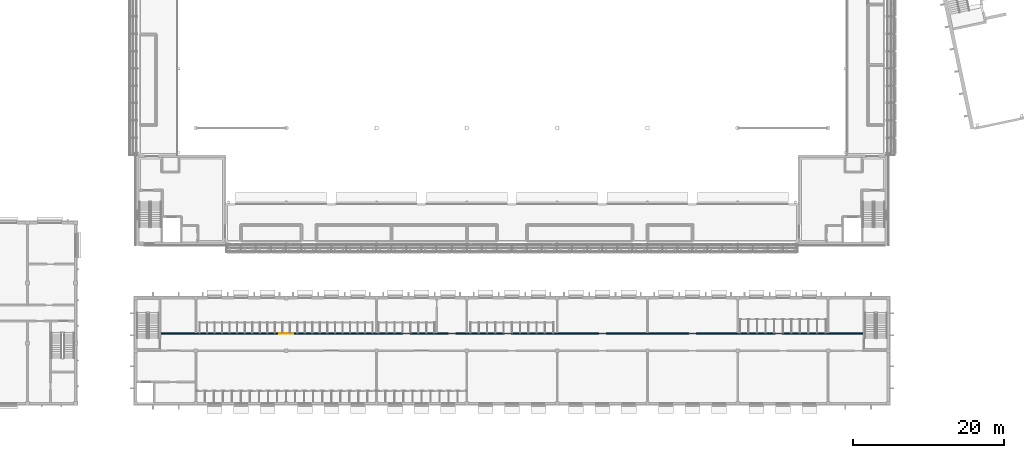
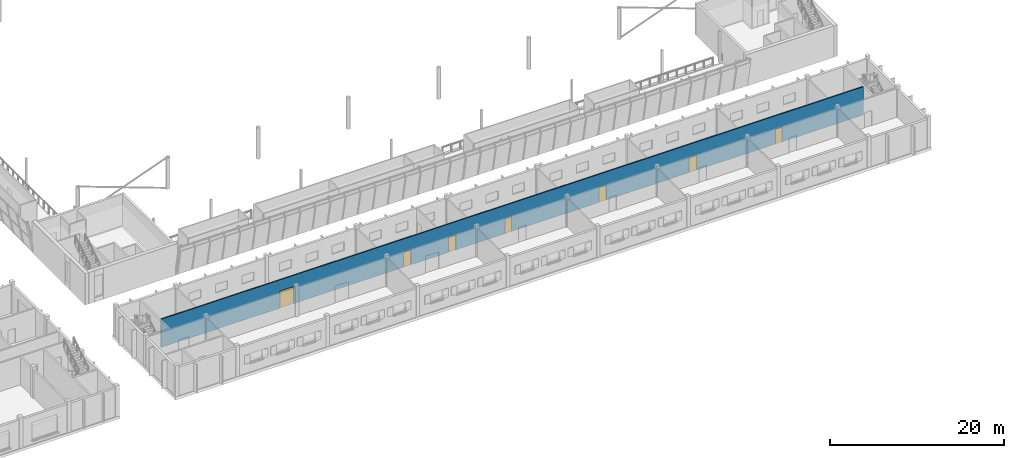
# One storey, part 67 of 115: 7 doors, 1 wall, 7 openings.
"""IFC4 building model written with IfcOpenShell, lengths in metres."""

import ifcopenshell
import ifcopenshell.guid

model = None  # the IFC model being written
_history = None  # IfcOwnerHistory: only IFC2X3 demands one
_inside = {}  # id of a spatial element -> (the spatial element, [elements in it])
_under = {}  # id of a project, library or spatial element -> (it, [spatial elements below it])
_declared = {}  # id of a project -> (the project, [libraries it declares])
_typed = {}  # id of a type object -> (the type object, [elements of that type])
_made_of = {}  # id of a material, layer set ... -> (it, [elements and type objects made of it])


def new_model(schema):
    """Start an empty IFC model of exactly this schema.

    Asked for "IFC4X3", IfcOpenShell would pick the latest addendum, in which some entities
    have other attributes; the version numbers below select the first issue.
    IFC2X3 requires an IfcOwnerHistory on every rooted entity: one is made here for all.
    """
    global model, _history
    if schema == "IFC4X3":
        model = ifcopenshell.file(schema_version=(4, 3, 0, 0))
    else:
        model = ifcopenshell.file(schema=schema)
    _inside.clear()
    _under.clear()
    _declared.clear()
    _typed.clear()
    _made_of.clear()
    _history = None
    if model.schema == "IFC2X3":
        org = make("IfcOrganization", Name="unknown")
        user = make(
            "IfcPersonAndOrganization",
            ThePerson=make("IfcPerson", FamilyName="unknown"),
            TheOrganization=org,
        )
        app = make(
            "IfcApplication",
            ApplicationDeveloper=org,
            Version="unknown",
            ApplicationFullName="unknown",
            ApplicationIdentifier="unknown",
        )
        _history = make(
            "IfcOwnerHistory",
            OwningUser=user,
            OwningApplication=app,
            ChangeAction="ADDED",
            CreationDate=0,
        )
    return model


def make(cls, **values):
    """One entity of the class cls with the attributes given. An attribute that is None is left unset."""
    return model.create_entity(
        cls, **{name: value for name, value in values.items() if value is not None}
    )


def rooted(cls, **values):
    """An entity with a GlobalId (a new one), such as an element, a storey or a relation."""
    return make(cls, GlobalId=ifcopenshell.guid.new(), OwnerHistory=_history, **values)


def si_unit(unit_type, name, prefix=None):
    """IfcSIUnit, for example si_unit("LENGTHUNIT", "METRE", prefix="MILLI")."""
    return make("IfcSIUnit", UnitType=unit_type, Prefix=prefix, Name=name)


def assignment(units):
    """IfcUnitAssignment: the units of a project."""
    return None if units is None else make("IfcUnitAssignment", Units=units)


def point(xyz):
    """IfcCartesianPoint."""
    return None if xyz is None else make("IfcCartesianPoint", Coordinates=xyz)


def direction(xyz):
    """IfcDirection."""
    return None if xyz is None else make("IfcDirection", DirectionRatios=xyz)


def frame(location, z_axis=None, x_axis=None):
    """IfcAxis2Placement3D, a coordinate frame: its origin and axes. An axis left out is left unset."""
    return make(
        "IfcAxis2Placement3D",
        Location=point(location),
        Axis=direction(z_axis),
        RefDirection=direction(x_axis),
    )


def frame_2d(location, x_axis=None):
    """IfcAxis2Placement2D, a coordinate frame in the plane: its origin and x axis."""
    return make(
        "IfcAxis2Placement2D", Location=point(location), RefDirection=direction(x_axis)
    )


def origin():
    """The frame at (0, 0, 0) with its axes left unset."""
    return frame((0.0, 0.0, 0.0))


def place(relative_to, where):
    """IfcLocalPlacement: puts the frame where relative to a parent placement (None: the world)."""
    return make(
        "IfcLocalPlacement", PlacementRelTo=relative_to, RelativePlacement=where
    )


def context(
    kind, dimensions, precision=None, world=None, true_north=None, identifier=None
):
    """IfcGeometricRepresentationContext, for example the 3D "Model" context."""
    return make(
        "IfcGeometricRepresentationContext",
        ContextIdentifier=identifier,
        ContextType=kind,
        CoordinateSpaceDimension=dimensions,
        Precision=precision,
        WorldCoordinateSystem=world,
        TrueNorth=true_north,
    )


def subcontext(parent, identifier, kind, view, scale=None):
    """IfcGeometricRepresentationSubContext, for example "Body" below "Model"."""
    return make(
        "IfcGeometricRepresentationSubContext",
        ContextIdentifier=identifier,
        ContextType=kind,
        ParentContext=parent,
        TargetScale=scale,
        TargetView=view,
    )


def project(units=None, contexts=None):
    """IfcProject with its units and contexts."""
    return rooted(
        "IfcProject",
        Name="project",
        RepresentationContexts=contexts,
        UnitsInContext=assignment(units),
    )


def spatial(cls, under=None, at=None, **own):
    """A site, building, storey or space (cls), placed at a placement, below another one or the project."""
    s = rooted(cls, ObjectPlacement=at, **own)
    if under is not None:
        _under.setdefault(under.id(), (under, []))[1].append(s)
    return s


def profile(cls, at=None, kind="AREA", **sizes):
    """A parametric profile (cls). Its sizes go by their IFC names, for example OverallWidth=200.0."""
    return make(cls, ProfileType=kind, Position=at, **sizes)


def rectangle(**sizes):
    """IfcRectangleProfileDef."""
    return profile("IfcRectangleProfileDef", **sizes)


def extrude(swept, where, along, depth):
    """IfcExtrudedAreaSolid: the profile swept, set in the frame where, extruded along a direction by depth."""
    return make(
        "IfcExtrudedAreaSolid",
        SweptArea=swept,
        Position=where,
        ExtrudedDirection=direction(along),
        Depth=depth,
    )


def shape(context_of_items, identifier, shape_type, items):
    """IfcShapeRepresentation: the items that make up one representation, for example the "Body"."""
    return make(
        "IfcShapeRepresentation",
        ContextOfItems=context_of_items,
        RepresentationIdentifier=identifier,
        RepresentationType=shape_type,
        Items=items,
    )


def material(Name=None, Category=None):
    """IfcMaterial."""
    return make("IfcMaterial", Name=Name, Category=Category)


def layer(
    of_material, thickness, ventilated=None, Name=None, Category=None, Priority=None
):
    """IfcMaterialLayer: one layer of a wall or slab, of a material (None: an air gap)."""
    return make(
        "IfcMaterialLayer",
        Material=of_material,
        LayerThickness=thickness,
        IsVentilated=ventilated,
        Name=Name,
        Category=Category,
        Priority=Priority,
    )


def layer_set(layers, Name=None):
    """IfcMaterialLayerSet."""
    return make("IfcMaterialLayerSet", MaterialLayers=layers, LayerSetName=Name)


def made_of(thing, what):
    """Note that an element or type object is made of a material, layer set ...; save() writes the relation."""
    if what is not None:
        _made_of.setdefault(what.id(), (what, []))[1].append(thing)
    return thing


def type_object(cls, material=None, **own):
    """A type object (cls), such as IfcWallType, which elements share."""
    return made_of(rooted(cls, **own), material)


def element(
    cls,
    number,
    at=None,
    inside=None,
    cuts=None,
    type_object=None,
    material=None,
    context=None,
    identifier="Body",
    shape_type=None,
    held_by="IfcProductDefinitionShape",
    body=None,
    shapes=None,
    **own,
):
    """One element of the class cls, such as IfcWall. Its Tag is "e" and its number.

    at: its placement. inside: the storey or other place that contains it. cuts: it is an
    opening in that element (IfcRelVoidsElement). A single representation is given by context,
    identifier, shape_type and body (its items); several are given by shapes. held_by: the class
    of the entity that holds the representations. save() writes the other relations.
    """
    e = rooted(cls, Tag="e%d" % number, ObjectPlacement=at, **own)
    if body is not None:
        shapes = [shape(context, identifier, shape_type, body)]
    if shapes is not None:
        e.Representation = make(held_by, Representations=shapes)
    if inside is not None:
        _inside.setdefault(inside.id(), (inside, []))[1].append(e)
    if cuts is not None:
        rooted(
            "IfcRelVoidsElement", RelatingBuildingElement=cuts, RelatedOpeningElement=e
        )
    if type_object is not None:
        _typed.setdefault(type_object.id(), (type_object, []))[1].append(e)
    return made_of(e, material)


def fill(opening, filler):
    """IfcRelFillsElement: the door or window that sits in an opening."""
    return rooted(
        "IfcRelFillsElement",
        RelatingOpeningElement=opening,
        RelatedBuildingElement=filler,
    )


def aggregate(whole, parts):
    """IfcRelAggregates: a whole, such as a stair, and the parts it consists of."""
    return rooted("IfcRelAggregates", RelatingObject=whole, RelatedObjects=parts)


def save(model, path):
    """Write the relations noted so far, then the file.

    IfcRelAggregates (storeys below a building ...), IfcRelContainedInSpatialStructure (elements
    in a storey), IfcRelDefinesByType, IfcRelAssociatesMaterial and IfcRelDeclares: one each for
    every whole, place, type object, material and project.
    """
    for whole, parts in _under.values():
        aggregate(whole, parts)
    for where, things in _inside.values():
        rooted(
            "IfcRelContainedInSpatialStructure",
            RelatedElements=things,
            RelatingStructure=where,
        )
    for kind, things in _typed.values():
        rooted("IfcRelDefinesByType", RelatedObjects=things, RelatingType=kind)
    for what, things in _made_of.values():
        rooted("IfcRelAssociatesMaterial", RelatedObjects=things, RelatingMaterial=what)
    for by, libraries in _declared.values():
        rooted("IfcRelDeclares", RelatingContext=by, RelatedDefinitions=libraries)
    model.write(path)


model = new_model("IFC4")

# Units and contexts
model_context = context("Model", 3, precision=1e-05, world=origin(), true_north=direction((0.0, 1.0)))
body_context = subcontext(model_context, "Body", "Model", "MODEL_VIEW")
ifc_project = project(units=[si_unit("LENGTHUNIT", "METRE"), si_unit("AREAUNIT", "SQUARE_METRE"), si_unit("VOLUMEUNIT", "CUBIC_METRE"), si_unit("PLANEANGLEUNIT", "RADIAN"), si_unit("MASSUNIT", "GRAM", prefix="KILO")], contexts=[model_context])

# Site, building, storey
site_placement = place(None, origin())
site = spatial("IfcSite", under=ifc_project, at=site_placement, CompositionType="ELEMENT")
building_placement = place(site_placement, origin())
building = spatial("IfcBuilding", under=site, at=building_placement, Name="Windward Yard Aquatics Centre", CompositionType="ELEMENT")
storey_placement = place(building_placement, frame((0.0, 0.0, 5.0)))
storey = spatial("IfcBuildingStorey", under=building, at=storey_placement, Name="L01", CompositionType="ELEMENT", Elevation=5.0)

# Wall, openings, doors
ifc_material_1 = material(Name="Concrete masonry unit plastered", Category="masonry")
ifc_layer = layer(ifc_material_1, 0.14990234375)
ifc_layer_set = layer_set([ifc_layer], Name="C block partition 150")
wall_type = type_object("IfcWallType", Name="C block partition 150", PredefinedType="PARTITIONING", material=ifc_layer_set)
wall_placement = place(storey_placement, frame((55.300048828125, 14.300048828125, 0.0), z_axis=(0.0, 0.0, 1.0), x_axis=(1.0, 0.0, 0.0)))
wall = element("IfcWall", 1, at=wall_placement, inside=storey, type_object=wall_type, Name="C.W.L01.SP.N.1", PredefinedType="PARTITIONING", context=body_context, shape_type="SweptSolid", body=[
    extrude(rectangle(XDim=93.39990234375, YDim=0.14990234375, at=frame_2d((46.699951171875, 0.0))), origin(), (0.0, 0.0, 1.0), 3.97998046875),
])
opening_1_placement = place(wall_placement, frame((15.800048828125, 0.0, 0.0)))
opening_1 = element("IfcOpeningElement", 2, at=opening_1_placement, cuts=wall, Name="Opening C1009", PredefinedType="OPENING", context=body_context, shape_type="SweptSolid", body=[
    extrude(rectangle(XDim=1.800048828125, YDim=2.39990234375, at=frame_2d((0.89990234375, 1.199951171875))), frame((0.0, 0.0849609375, 0.0), z_axis=(0.0, -1.0, 0.0), x_axis=(1.0, 0.0, 0.0)), (0.0, 0.0, 1.0), 0.169921875),
])
opening_2_placement = place(wall_placement, frame((32.199951171875, 0.0, 0.0)))
opening_2 = element("IfcOpeningElement", 3, at=opening_2_placement, cuts=wall, Name="Opening C1010", PredefinedType="OPENING", context=body_context, shape_type="SweptSolid", body=[
    extrude(rectangle(XDim=1.0, YDim=2.10009765625, at=frame_2d((0.5, 1.050048828125))), frame((0.0, 0.0849609375, 0.0), z_axis=(0.0, -1.0, 0.0), x_axis=(1.0, 0.0, 0.0)), (0.0, 0.0, 1.0), 0.169921875),
])
opening_3_placement = place(wall_placement, frame((38.199951171875, 0.0, 0.0)))
opening_3 = element("IfcOpeningElement", 4, at=opening_3_placement, cuts=wall, Name="Opening C1011", PredefinedType="OPENING", context=body_context, shape_type="SweptSolid", body=[
    extrude(rectangle(XDim=1.0, YDim=2.10009765625, at=frame_2d((0.5, 1.050048828125))), frame((0.0, 0.0849609375, 0.0), z_axis=(0.0, -1.0, 0.0), x_axis=(1.0, 0.0, 0.0)), (0.0, 0.0, 1.0), 0.169921875),
])
opening_4_placement = place(wall_placement, frame((45.699951171875, 0.0, 0.0)))
opening_4 = element("IfcOpeningElement", 5, at=opening_4_placement, cuts=wall, Name="Opening C1012", PredefinedType="OPENING", context=body_context, shape_type="SweptSolid", body=[
    extrude(rectangle(XDim=0.89990234375, YDim=2.10009765625, at=frame_2d((0.449951171875, 1.050048828125))), frame((0.0, 0.0849609375, 0.0), z_axis=(0.0, -1.0, 0.0), x_axis=(1.0, 0.0, 0.0)), (0.0, 0.0, 1.0), 0.169921875),
])
opening_5_placement = place(wall_placement, frame((58.199951171875, 0.0, 0.0)))
opening_5 = element("IfcOpeningElement", 6, at=opening_5_placement, cuts=wall, Name="Opening C1013", PredefinedType="OPENING", context=body_context, shape_type="SweptSolid", body=[
    extrude(rectangle(XDim=1.0, YDim=2.10009765625, at=frame_2d((0.5, 1.050048828125))), frame((0.0, 0.0849609375, 0.0), z_axis=(0.0, -1.0, 0.0), x_axis=(1.0, 0.0, 0.0)), (0.0, 0.0, 1.0), 0.169921875),
])
opening_6_placement = place(wall_placement, frame((70.199951171875, 0.0, 0.0)))
opening_6 = element("IfcOpeningElement", 7, at=opening_6_placement, cuts=wall, Name="Opening C1014", PredefinedType="OPENING", context=body_context, shape_type="SweptSolid", body=[
    extrude(rectangle(XDim=1.0, YDim=2.10009765625, at=frame_2d((0.5, 1.050048828125))), frame((0.0, 0.0849609375, 0.0), z_axis=(0.0, -1.0, 0.0), x_axis=(1.0, 0.0, 0.0)), (0.0, 0.0, 1.0), 0.169921875),
])
opening_7_placement = place(wall_placement, frame((81.679931640625, 0.0, 0.0)))
opening_7 = element("IfcOpeningElement", 8, at=opening_7_placement, cuts=wall, Name="Opening C1015", PredefinedType="OPENING", context=body_context, shape_type="SweptSolid", body=[
    extrude(rectangle(XDim=0.89990234375, YDim=2.10009765625, at=frame_2d((0.449951171875, 1.050048828125))), frame((0.0, 0.0849609375, 0.0), z_axis=(0.0, -1.0, 0.0), x_axis=(1.0, 0.0, 0.0)), (0.0, 0.0, 1.0), 0.169921875),
])
ifc_material_2 = material(Name="Timber door leaf in steel frame", Category="steel")
door_type_1 = type_object("IfcDoorType", Name="C door 1000X2100 FD30S", OperationType="SINGLE_SWING_LEFT", PredefinedType="DOOR", material=ifc_material_2)
door_1_placement = place(opening_2_placement, origin())
door_1 = element("IfcDoor", 9, at=door_1_placement, inside=storey, type_object=door_type_1, Name="Door C1010", OperationType="SINGLE_SWING_LEFT", OverallHeight=2.10009765625, OverallWidth=1.0, PredefinedType="DOOR", context=body_context, shape_type="SweptSolid", body=[
    extrude(rectangle(XDim=1.0, YDim=2.10009765625, at=frame_2d((0.5, 1.050048828125))), frame((0.0, 0.02490234375, 0.0), z_axis=(0.0, -1.0, 0.0), x_axis=(1.0, 0.0, 0.0)), (0.0, 0.0, 1.0), 0.050048828125),
])
fill(opening_2, door_1)
door_2_placement = place(opening_3_placement, origin())
door_2 = element("IfcDoor", 10, at=door_2_placement, inside=storey, type_object=door_type_1, Name="Door C1011", OperationType="SINGLE_SWING_LEFT", OverallHeight=2.10009765625, OverallWidth=1.0, PredefinedType="DOOR", context=body_context, shape_type="SweptSolid", body=[
    extrude(rectangle(XDim=1.0, YDim=2.10009765625, at=frame_2d((0.5, 1.050048828125))), frame((0.0, 0.02490234375, 0.0), z_axis=(0.0, -1.0, 0.0), x_axis=(1.0, 0.0, 0.0)), (0.0, 0.0, 1.0), 0.050048828125),
])
fill(opening_3, door_2)
door_3_placement = place(opening_5_placement, origin())
door_3 = element("IfcDoor", 11, at=door_3_placement, inside=storey, type_object=door_type_1, Name="Door C1013", OperationType="SINGLE_SWING_LEFT", OverallHeight=2.10009765625, OverallWidth=1.0, PredefinedType="DOOR", context=body_context, shape_type="SweptSolid", body=[
    extrude(rectangle(XDim=1.0, YDim=2.10009765625, at=frame_2d((0.5, 1.050048828125))), frame((0.0, 0.02490234375, 0.0), z_axis=(0.0, -1.0, 0.0), x_axis=(1.0, 0.0, 0.0)), (0.0, 0.0, 1.0), 0.050048828125),
])
fill(opening_5, door_3)
door_4_placement = place(opening_6_placement, origin())
door_4 = element("IfcDoor", 12, at=door_4_placement, inside=storey, type_object=door_type_1, Name="Door C1014", OperationType="SINGLE_SWING_LEFT", OverallHeight=2.10009765625, OverallWidth=1.0, PredefinedType="DOOR", context=body_context, shape_type="SweptSolid", body=[
    extrude(rectangle(XDim=1.0, YDim=2.10009765625, at=frame_2d((0.5, 1.050048828125))), frame((0.0, 0.02490234375, 0.0), z_axis=(0.0, -1.0, 0.0), x_axis=(1.0, 0.0, 0.0)), (0.0, 0.0, 1.0), 0.050048828125),
])
fill(opening_6, door_4)
door_type_2 = type_object("IfcDoorType", Name="C door 900X2100 FD30S", OperationType="SINGLE_SWING_LEFT", PredefinedType="DOOR", material=ifc_material_2)
door_5_placement = place(opening_4_placement, origin())
door_5 = element("IfcDoor", 13, at=door_5_placement, inside=storey, type_object=door_type_2, Name="Door C1012", OperationType="SINGLE_SWING_LEFT", OverallHeight=2.10009765625, OverallWidth=0.89990234375, PredefinedType="DOOR", context=body_context, shape_type="SweptSolid", body=[
    extrude(rectangle(XDim=0.89990234375, YDim=2.10009765625, at=frame_2d((0.449951171875, 1.050048828125))), frame((0.0, 0.02490234375, 0.0), z_axis=(0.0, -1.0, 0.0), x_axis=(1.0, 0.0, 0.0)), (0.0, 0.0, 1.0), 0.050048828125),
])
fill(opening_4, door_5)
door_6_placement = place(opening_7_placement, origin())
door_6 = element("IfcDoor", 14, at=door_6_placement, inside=storey, type_object=door_type_2, Name="Door C1015", OperationType="SINGLE_SWING_LEFT", OverallHeight=2.10009765625, OverallWidth=0.89990234375, PredefinedType="DOOR", context=body_context, shape_type="SweptSolid", body=[
    extrude(rectangle(XDim=0.89990234375, YDim=2.10009765625, at=frame_2d((0.449951171875, 1.050048828125))), frame((0.0, 0.02490234375, 0.0), z_axis=(0.0, -1.0, 0.0), x_axis=(1.0, 0.0, 0.0)), (0.0, 0.0, 1.0), 0.050048828125),
])
fill(opening_7, door_6)
door_type_3 = type_object("IfcDoorType", Name="C double door 1800X2400 FD30S", OperationType="DOUBLE_DOOR_SINGLE_SWING", PredefinedType="DOOR", material=ifc_material_2)
door_7_placement = place(opening_1_placement, origin())
door_7 = element("IfcDoor", 15, at=door_7_placement, inside=storey, type_object=door_type_3, Name="Door C1009", OperationType="DOUBLE_DOOR_SINGLE_SWING", OverallHeight=2.39990234375, OverallWidth=1.800048828125, PredefinedType="DOOR", context=body_context, shape_type="SweptSolid", body=[
    extrude(rectangle(XDim=1.800048828125, YDim=2.39990234375, at=frame_2d((0.89990234375, 1.199951171875))), frame((0.0, 0.02490234375, 0.0), z_axis=(0.0, -1.0, 0.0), x_axis=(1.0, 0.0, 0.0)), (0.0, 0.0, 1.0), 0.050048828125),
])
fill(opening_1, door_7)

save(model, "model.ifc")
